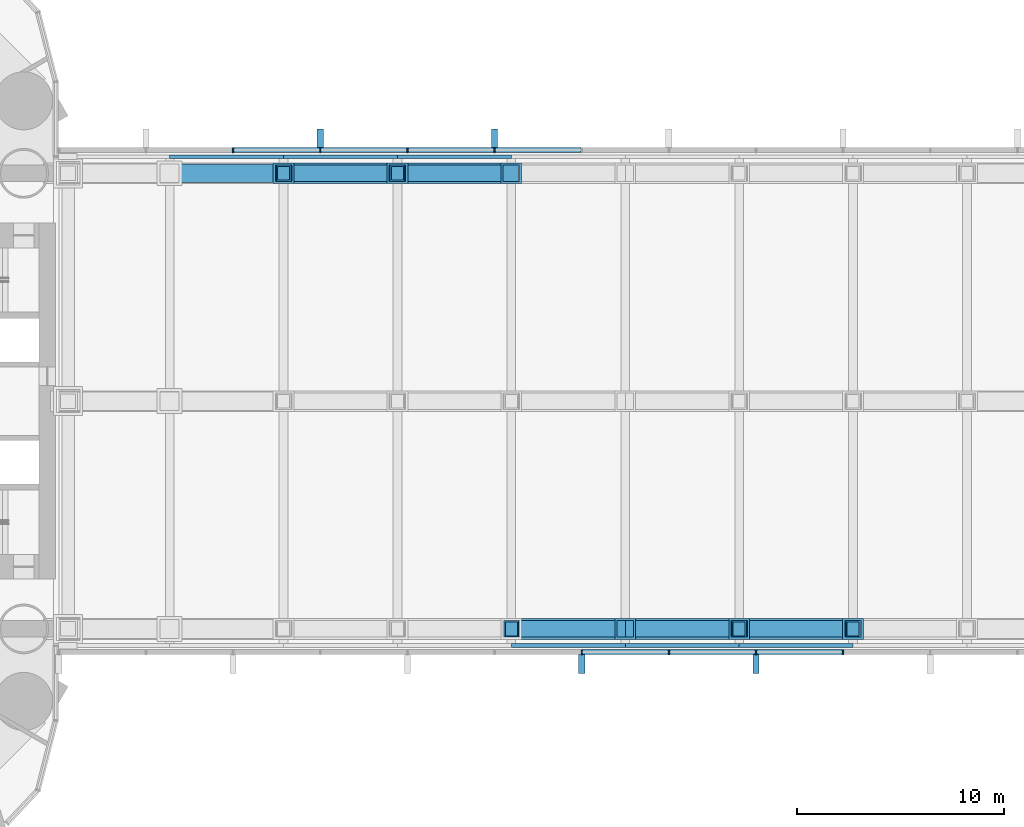
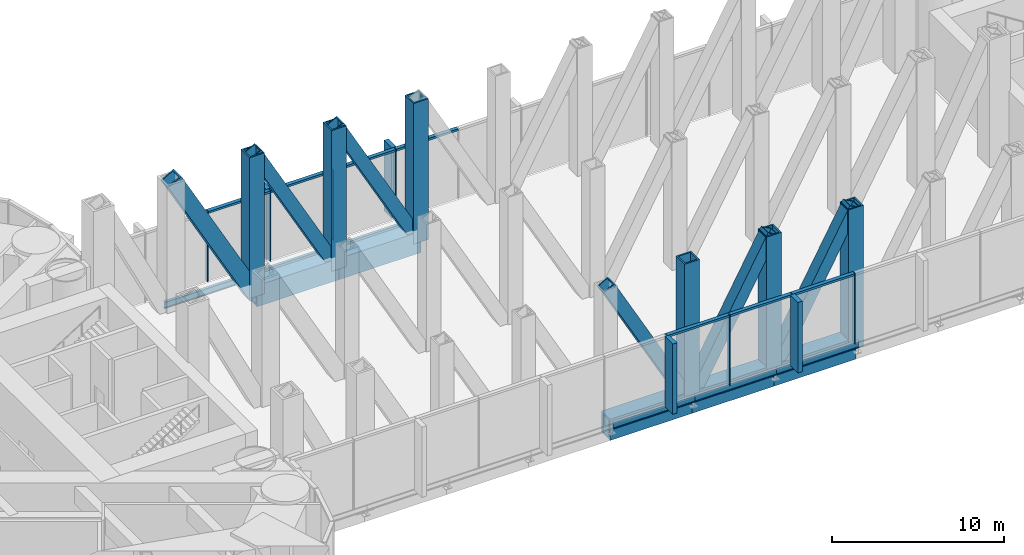
# One storey, part 7 of 21: 36 members, 6 beams, 2 elements without a shape of their own.
"""IFC4 building model written with IfcOpenShell, lengths in metres."""

from ifc_helpers import new_model, si_unit, direction, frame, origin, origin_2d, place, context, subcontext, project, spatial, rectangle, hollow_rectangle, i_section, extrude, material, material_profile, profile_set, type_object, element, aggregate, save


model = new_model("IFC4")

# Units and contexts
model_context = context("Model", 3, precision=1e-05, world=origin(), true_north=direction((0.0, 1.0)))
body_context = subcontext(model_context, "Body", "Model", "MODEL_VIEW")
ifc_project = project(units=[si_unit("LENGTHUNIT", "METRE"), si_unit("AREAUNIT", "SQUARE_METRE"), si_unit("VOLUMEUNIT", "CUBIC_METRE"), si_unit("PLANEANGLEUNIT", "RADIAN"), si_unit("MASSUNIT", "GRAM", prefix="KILO")], contexts=[model_context])

# Site, building, storey
site_placement = place(None, origin())
site = spatial("IfcSite", under=ifc_project, at=site_placement, CompositionType="ELEMENT")
building_placement = place(site_placement, origin())
building = spatial("IfcBuilding", under=site, at=building_placement, Name="Lancet Gate Hotel", CompositionType="ELEMENT")
storey_placement = place(building_placement, frame((0.0, 0.0, 205.300048828125)))
storey = spatial("IfcBuildingStorey", under=building, at=storey_placement, Name="L55", CompositionType="ELEMENT", Elevation=205.300048828125)

# Curtain wall, members
ifc_material_1 = material(Name="Aluminium curtain wall", Category="aluminium")
curtain_wall_type = type_object("IfcCurtainWallType", Name="Refuge storey louvred curtain wall", PredefinedType="USERDEFINED", material=ifc_material_1)
curtain_wall_1_placement = place(storey_placement, origin())
curtain_wall_1 = element("IfcCurtainWall", 1, at=curtain_wall_1_placement, inside=storey, type_object=curtain_wall_type, Name="Bridge block L55 curtain wall S", ObjectType="LANTERN GLAZING", PredefinedType="USERDEFINED")
ifc_material_2 = material(Name="Aluminium mullion", Category="aluminium")
ifc_material_profile_1 = material_profile(ifc_material_2, rectangle(XDim=0.06494140625, YDim=0.25, at=origin_2d()), Name="MULLION 65x250")
ifc_profile_set_1 = profile_set([ifc_material_profile_1], Name="Aluminium mullion")
member_type_1 = type_object("IfcMemberType", Name="Aluminium mullion 65x250", PredefinedType="MULLION", material=ifc_profile_set_1)
member_1_placement = place(storey_placement, frame((-2.103759765625, -12.1201171875, 0.0), z_axis=(0.0, 0.0, 1.0), x_axis=(1.0, 0.0, 0.0)))
member_1 = element("IfcMember", 2, at=member_1_placement, type_object=member_type_1, Name="Bridge block L55 curtain wall S mullion 7", PredefinedType="MULLION", context=body_context, shape_type="SweptSolid", body=[
    extrude(rectangle(XDim=0.06494140625, YDim=0.25, at=origin_2d()), origin(), (0.0, 0.0, 1.0), 5.0),
])
member_2_placement = place(storey_placement, frame((2.103759765625, -12.1201171875, 0.0), z_axis=(0.0, 0.0, 1.0), x_axis=(1.0, 0.0, 0.0)))
member_2 = element("IfcMember", 3, at=member_2_placement, type_object=member_type_1, Name="Bridge block L55 curtain wall S mullion 8", PredefinedType="MULLION", context=body_context, shape_type="SweptSolid", body=[
    extrude(rectangle(XDim=0.06494140625, YDim=0.25, at=origin_2d()), origin(), (0.0, 0.0, 1.0), 5.0),
])
member_3_placement = place(storey_placement, frame((6.3115234375, -12.1201171875, 0.0), z_axis=(0.0, 0.0, 1.0), x_axis=(1.0, 0.0, 0.0)))
member_3 = element("IfcMember", 4, at=member_3_placement, type_object=member_type_1, Name="Bridge block L55 curtain wall S mullion 9", PredefinedType="MULLION", context=body_context, shape_type="SweptSolid", body=[
    extrude(rectangle(XDim=0.06494140625, YDim=0.25, at=origin_2d()), origin(), (0.0, 0.0, 1.0), 5.0),
])
member_4_placement = place(storey_placement, frame((10.519287109375, -12.1201171875, 0.0), z_axis=(0.0, 0.0, 1.0), x_axis=(1.0, 0.0, 0.0)))
member_4 = element("IfcMember", 5, at=member_4_placement, type_object=member_type_1, Name="Bridge block L55 curtain wall S mullion 10", PredefinedType="MULLION", context=body_context, shape_type="SweptSolid", body=[
    extrude(rectangle(XDim=0.06494140625, YDim=0.25, at=origin_2d()), origin(), (0.0, 0.0, 1.0), 5.0),
])

curtain_wall_2_placement = place(storey_placement, origin())
curtain_wall_2 = element("IfcCurtainWall", 6, at=curtain_wall_2_placement, inside=storey, type_object=curtain_wall_type, Name="Bridge block L55 curtain wall N", ObjectType="LANTERN GLAZING", PredefinedType="USERDEFINED")
member_5_placement = place(storey_placement, frame((-6.3115234375, 12.1201171875, 0.0), z_axis=(0.0, 0.0, 1.0), x_axis=(-1.0, 0.0, 0.0)))
member_5 = element("IfcMember", 7, at=member_5_placement, type_object=member_type_1, Name="Bridge block L55 curtain wall N mullion 9", PredefinedType="MULLION", context=body_context, shape_type="SweptSolid", body=[
    extrude(rectangle(XDim=0.06494140625, YDim=0.25, at=origin_2d()), origin(), (0.0, 0.0, 1.0), 5.0),
])
member_6_placement = place(storey_placement, frame((-10.519287109375, 12.1201171875, 0.0), z_axis=(0.0, 0.0, 1.0), x_axis=(-1.0, 0.0, 0.0)))
member_6 = element("IfcMember", 8, at=member_6_placement, type_object=member_type_1, Name="Bridge block L55 curtain wall N mullion 10", PredefinedType="MULLION", context=body_context, shape_type="SweptSolid", body=[
    extrude(rectangle(XDim=0.06494140625, YDim=0.25, at=origin_2d()), origin(), (0.0, 0.0, 1.0), 5.0),
])
member_7_placement = place(storey_placement, frame((-14.726806640625, 12.1201171875, 0.0), z_axis=(0.0, 0.0, 1.0), x_axis=(-1.0, 0.0, 0.0)))
member_7 = element("IfcMember", 9, at=member_7_placement, type_object=member_type_1, Name="Bridge block L55 curtain wall N mullion 11", PredefinedType="MULLION", context=body_context, shape_type="SweptSolid", body=[
    extrude(rectangle(XDim=0.06494140625, YDim=0.25, at=origin_2d()), origin(), (0.0, 0.0, 1.0), 5.0),
])
member_8_placement = place(storey_placement, frame((-18.9345703125, 12.1201171875, 0.0), z_axis=(0.0, 0.0, 1.0), x_axis=(-1.0, 0.0, 0.0)))
member_8 = element("IfcMember", 10, at=member_8_placement, type_object=member_type_1, Name="Bridge block L55 curtain wall N mullion 12", PredefinedType="MULLION", context=body_context, shape_type="SweptSolid", body=[
    extrude(rectangle(XDim=0.06494140625, YDim=0.25, at=origin_2d()), origin(), (0.0, 0.0, 1.0), 5.0),
])

# Member
ifc_material_3 = material(Name="Aluminium transom", Category="aluminium")
ifc_material_profile_2 = material_profile(ifc_material_3, rectangle(XDim=0.25, YDim=0.14990234375, at=origin_2d()), Name="TRANSOM 250x150")
ifc_profile_set_2 = profile_set([ifc_material_profile_2], Name="Aluminium transom")
member_type_2 = type_object("IfcMemberType", Name="Aluminium transom 250x150", PredefinedType="USERDEFINED", material=ifc_profile_set_2)
member_9_placement = place(storey_placement, frame((-2.0712890625, -12.1201171875, 4.925048828125), z_axis=(1.0, 0.0, 0.0), x_axis=(0.0, 1.0, 0.0)))
member_9 = element("IfcMember", 11, at=member_9_placement, type_object=member_type_2, Name="Bridge block L55 curtain wall S transom 7", ObjectType="TRANSOM", PredefinedType="USERDEFINED", context=body_context, shape_type="SweptSolid", body=[
    extrude(rectangle(XDim=0.25, YDim=0.14990234375, at=origin_2d()), origin(), (0.0, 0.0, 1.0), 4.142578125),
])

member_10_placement = place(storey_placement, frame((2.13623046875, -12.1201171875, 4.925048828125), z_axis=(1.0, 0.0, 0.0), x_axis=(0.0, 1.0, 0.0)))
member_10 = element("IfcMember", 12, at=member_10_placement, type_object=member_type_2, Name="Bridge block L55 curtain wall S transom 8", ObjectType="TRANSOM", PredefinedType="USERDEFINED", context=body_context, shape_type="SweptSolid", body=[
    extrude(rectangle(XDim=0.25, YDim=0.14990234375, at=origin_2d()), origin(), (0.0, 0.0, 1.0), 4.142822265625),
])

member_11_placement = place(storey_placement, frame((6.343994140625, -12.1201171875, 4.925048828125), z_axis=(1.0, 0.0, 0.0), x_axis=(0.0, 1.0, 0.0)))
member_11 = element("IfcMember", 13, at=member_11_placement, type_object=member_type_2, Name="Bridge block L55 curtain wall S transom 9", ObjectType="TRANSOM", PredefinedType="USERDEFINED", context=body_context, shape_type="SweptSolid", body=[
    extrude(rectangle(XDim=0.25, YDim=0.14990234375, at=origin_2d()), origin(), (0.0, 0.0, 1.0), 4.142822265625),
])

member_12_placement = place(storey_placement, frame((-2.13623046875, 12.1201171875, 4.925048828125), z_axis=(-1.0, 0.0, 0.0), x_axis=(0.0, -1.0, 0.0)))
member_12 = element("IfcMember", 14, at=member_12_placement, type_object=member_type_2, Name="Bridge block L55 curtain wall N transom 8", ObjectType="TRANSOM", PredefinedType="USERDEFINED", context=body_context, shape_type="SweptSolid", body=[
    extrude(rectangle(XDim=0.25, YDim=0.14990234375, at=origin_2d()), origin(), (0.0, 0.0, 1.0), 4.142822265625),
])

member_13_placement = place(storey_placement, frame((-6.343994140625, 12.1201171875, 4.925048828125), z_axis=(-1.0, 0.0, 0.0), x_axis=(0.0, -1.0, 0.0)))
member_13 = element("IfcMember", 15, at=member_13_placement, type_object=member_type_2, Name="Bridge block L55 curtain wall N transom 9", ObjectType="TRANSOM", PredefinedType="USERDEFINED", context=body_context, shape_type="SweptSolid", body=[
    extrude(rectangle(XDim=0.25, YDim=0.14990234375, at=origin_2d()), origin(), (0.0, 0.0, 1.0), 4.142822265625),
])

member_14_placement = place(storey_placement, frame((-10.5517578125, 12.1201171875, 4.925048828125), z_axis=(-1.0, 0.0, 0.0), x_axis=(0.0, -1.0, 0.0)))
member_14 = element("IfcMember", 16, at=member_14_placement, type_object=member_type_2, Name="Bridge block L55 curtain wall N transom 10", ObjectType="TRANSOM", PredefinedType="USERDEFINED", context=body_context, shape_type="SweptSolid", body=[
    extrude(rectangle(XDim=0.25, YDim=0.14990234375, at=origin_2d()), origin(), (0.0, 0.0, 1.0), 4.142578125),
])

member_15_placement = place(storey_placement, frame((-14.759521484375, 12.1201171875, 4.925048828125), z_axis=(-1.0, 0.0, 0.0), x_axis=(0.0, -1.0, 0.0)))
member_15 = element("IfcMember", 17, at=member_15_placement, type_object=member_type_2, Name="Bridge block L55 curtain wall N transom 11", ObjectType="TRANSOM", PredefinedType="USERDEFINED", context=body_context, shape_type="SweptSolid", body=[
    extrude(rectangle(XDim=0.25, YDim=0.14990234375, at=origin_2d()), origin(), (0.0, 0.0, 1.0), 4.142578125),
])

# Beams
ifc_material_4 = material(Name="Steel S355", Category="steel")
ifc_material_profile_3 = material_profile(ifc_material_4, i_section(OverallWidth=0.19140625, OverallDepth=0.4599609375, WebThickness=0.010009765625, FlangeThickness=0.01611328125, FilletRadius=0.01025390625, at=origin_2d()), Name="UKB 457x191x82")
ifc_profile_set_3 = profile_set([ifc_material_profile_3], Name="Steel S355")
beam_type = type_object("IfcBeamType", Name="Block edge beam UKB 457x191x82", PredefinedType="SPANDREL", material=ifc_profile_set_3)
for number, where, z_axis, x_axis, name in (
    (18, (-22.0, 11.800048828125, -0.429931640625), (1.0, 0.0, 0.0), (0.0, 1.0, 0.0), "Block edge beam N 1-2 L55"),
    (19, (-16.5, 11.800048828125, -0.429931640625), (1.0, 0.0, 0.0), (0.0, 1.0, 0.0), "Block edge beam N 2-3 L55"),
    (20, (-11.0, 11.800048828125, -0.429931640625), (1.0, 0.0, 0.0), (0.0, 1.0, 0.0), "Block edge beam N 3-4 L55"),
    (21, (-5.5, -11.800048828125, -0.429931640625), (1.0, 0.0, 0.0), (0.0, 1.0, 0.0), "Block edge beam S 4-5 L55"),
    (22, (0.0, -11.800048828125, -0.429931640625), (1.0, 0.0, 0.0), (0.0, 1.0, 0.0), "Block edge beam S 5-6 L55"),
    (23, (5.5, -11.800048828125, -0.429931640625), (1.0, 0.0, 0.0), (0.0, 1.0, 0.0), "Block edge beam S 6-7 L55"),
):
    element("IfcBeam", number, at=place(storey_placement, frame(where, z_axis=z_axis, x_axis=x_axis)), inside=storey, type_object=beam_type, Name=name, PredefinedType="SPANDREL", context=body_context, shape_type="SweptSolid", body=[
        extrude(i_section(OverallWidth=0.19140625, OverallDepth=0.4599609375, WebThickness=0.010009765625, FlangeThickness=0.01611328125, FilletRadius=0.01025390625, at=origin_2d()), origin(), (0.0, 0.0, 1.0), 5.5),
    ])

# Member
ifc_material_5 = material(Name="Precast concrete C50/60", Category="concrete")
ifc_material_profile_4 = material_profile(ifc_material_5, rectangle(XDim=0.300048828125, YDim=0.89990234375, at=origin_2d()), Name="FIN 300x900")
ifc_profile_set_4 = profile_set([ifc_material_profile_4], Name="Precast concrete C50/60")
member_type_3 = type_object("IfcMemberType", Name="Exposed concrete fin 300x900", PredefinedType="USERDEFINED", material=ifc_profile_set_4)
member_16_placement = place(storey_placement, frame((-2.103759765625, -12.695068359375, 0.0), z_axis=(0.0, 0.0, 1.0), x_axis=(1.0, 0.0, 0.0)))
member_16 = element("IfcMember", 24, at=member_16_placement, type_object=member_type_3, Name="Bridge block L55 curtain wall S fin 7", ObjectType="FIN", PredefinedType="USERDEFINED", context=body_context, shape_type="SweptSolid", body=[
    extrude(rectangle(XDim=0.300048828125, YDim=0.89990234375, at=origin_2d()), origin(), (0.0, 0.0, 1.0), 5.0),
])

member_17_placement = place(storey_placement, frame((6.3115234375, -12.695068359375, 0.0), z_axis=(0.0, 0.0, 1.0), x_axis=(1.0, 0.0, 0.0)))
member_17 = element("IfcMember", 25, at=member_17_placement, type_object=member_type_3, Name="Bridge block L55 curtain wall S fin 9", ObjectType="FIN", PredefinedType="USERDEFINED", context=body_context, shape_type="SweptSolid", body=[
    extrude(rectangle(XDim=0.300048828125, YDim=0.89990234375, at=origin_2d()), origin(), (0.0, 0.0, 1.0), 5.0),
])

aggregate(curtain_wall_1, [member_1, member_16, member_2, member_3, member_17, member_4, member_9, member_10, member_11])

member_18_placement = place(storey_placement, frame((-6.3115234375, 12.695068359375, 0.0), z_axis=(0.0, 0.0, 1.0), x_axis=(-1.0, 0.0, 0.0)))
member_18 = element("IfcMember", 26, at=member_18_placement, type_object=member_type_3, Name="Bridge block L55 curtain wall N fin 9", ObjectType="FIN", PredefinedType="USERDEFINED", context=body_context, shape_type="SweptSolid", body=[
    extrude(rectangle(XDim=0.300048828125, YDim=0.89990234375, at=origin_2d()), origin(), (0.0, 0.0, 1.0), 5.0),
])

member_19_placement = place(storey_placement, frame((-14.726806640625, 12.695068359375, 0.0), z_axis=(0.0, 0.0, 1.0), x_axis=(-1.0, 0.0, 0.0)))
member_19 = element("IfcMember", 27, at=member_19_placement, type_object=member_type_3, Name="Bridge block L55 curtain wall N fin 11", ObjectType="FIN", PredefinedType="USERDEFINED", context=body_context, shape_type="SweptSolid", body=[
    extrude(rectangle(XDim=0.300048828125, YDim=0.89990234375, at=origin_2d()), origin(), (0.0, 0.0, 1.0), 5.0),
])

aggregate(curtain_wall_2, [member_5, member_18, member_6, member_7, member_19, member_8, member_12, member_13, member_14, member_15])

# Members
ifc_material_6 = material(Name="Steel S460QL", Category="steel")
ifc_material_profile_5 = material_profile(ifc_material_6, hollow_rectangle(XDim=1.0, YDim=1.5, WallThickness=0.14990234375, at=origin_2d()), Name="BOX 1500x1000x150")
ifc_profile_set_5 = profile_set([ifc_material_profile_5], Name="Steel S460QL")
member_type_4 = type_object("IfcMemberType", Name="Truss bottom chord BOX 1500x1000x150", PredefinedType="CHORD", material=ifc_profile_set_5)
for number, where, z_axis, x_axis, name in (
    (28, (-5.5, -11.0, -0.949951171875), (1.0, 0.0, 0.0), (0.0, 1.0, 0.0), "Truss S bottom chord panel 5"),
    (29, (0.0, -11.0, -0.949951171875), (1.0, 0.0, 0.0), (0.0, 1.0, 0.0), "Truss S bottom chord panel 6"),
    (30, (5.5, -11.0, -0.949951171875), (1.0, 0.0, 0.0), (0.0, 1.0, 0.0), "Truss S bottom chord panel 7"),
    (31, (-16.5, 11.0, -0.949951171875), (1.0, 0.0, 0.0), (0.0, 1.0, 0.0), "Truss N bottom chord panel 3"),
    (32, (-11.0, 11.0, -0.949951171875), (1.0, 0.0, 0.0), (0.0, 1.0, 0.0), "Truss N bottom chord panel 4"),
):
    element("IfcMember", number, at=place(storey_placement, frame(where, z_axis=z_axis, x_axis=x_axis)), inside=storey, type_object=member_type_4, Name=name, PredefinedType="CHORD", context=body_context, shape_type="SweptSolid", body=[
        extrude(hollow_rectangle(XDim=1.0, YDim=1.5, WallThickness=0.14990234375, at=origin_2d()), origin(), (0.0, 0.0, 1.0), 5.5),
    ])
ifc_material_7 = material(Name="Steel S460QL", Category="steel")
ifc_material_profile_6 = material_profile(ifc_material_7, hollow_rectangle(XDim=0.89990234375, YDim=1.0, WallThickness=0.10009765625, at=origin_2d()), Name="BOX 1000x900x100")
ifc_profile_set_6 = profile_set([ifc_material_profile_6], Name="Steel S460QL")
member_type_5 = type_object("IfcMemberType", Name="Truss diagonal BOX 1000x900x100", PredefinedType="BRACE", material=ifc_profile_set_6)
member_20_placement = place(storey_placement, frame((-22.0, 11.0, 9.050048828125), z_axis=(0.481918749772, 0.0, -0.876215908677), x_axis=(0.0, 1.0, 0.0)))
element("IfcMember", 33, at=member_20_placement, inside=storey, type_object=member_type_5, Name="Truss N diagonal panel 2", PredefinedType="BRACE", context=body_context, shape_type="SweptSolid", body=[
    extrude(hollow_rectangle(XDim=0.89990234375, YDim=1.0, WallThickness=0.10009765625, at=origin_2d()), origin(), (0.0, 0.0, 1.0), 11.41259765625),
])
ifc_material_8 = material(Name="Steel S460QL", Category="steel")
ifc_material_profile_7 = material_profile(ifc_material_8, hollow_rectangle(XDim=0.800048828125, YDim=0.800048828125, WallThickness=0.070068359375, at=origin_2d()), Name="BOX 800x800x70")
ifc_profile_set_7 = profile_set([ifc_material_profile_7], Name="Steel S460QL")
member_type_6 = type_object("IfcMemberType", Name="Truss diagonal BOX 800x800x70", PredefinedType="BRACE", material=ifc_profile_set_7)
for number, where, z_axis, x_axis, name in (
    (34, (-5.5, -11.0, 9.050048828125), (0.481918749772, 0.0, -0.876215908677), (0.0, 1.0, 0.0), "Truss S diagonal panel 5"),
    (35, (5.5, -11.0, 9.050048828125), (-0.481918749772, 0.0, -0.876215908677), (0.0, -1.0, 0.0), "Truss S diagonal panel 6"),
    (36, (11.0, -11.0, 9.050048828125), (-0.481918749772, 0.0, -0.876215908677), (0.0, -1.0, 0.0), "Truss S diagonal panel 7"),
    (37, (-16.5, 11.0, 9.050048828125), (0.481918749772, 0.0, -0.876215908677), (0.0, 1.0, 0.0), "Truss N diagonal panel 3"),
    (38, (-11.0, 11.0, 9.050048828125), (0.481918749772, 0.0, -0.876215908677), (0.0, 1.0, 0.0), "Truss N diagonal panel 4"),
):
    element("IfcMember", number, at=place(storey_placement, frame(where, z_axis=z_axis, x_axis=x_axis)), inside=storey, type_object=member_type_6, Name=name, PredefinedType="BRACE", context=body_context, shape_type="SweptSolid", body=[
        extrude(hollow_rectangle(XDim=0.800048828125, YDim=0.800048828125, WallThickness=0.070068359375, at=origin_2d()), origin(), (0.0, 0.0, 1.0), 11.41259765625),
    ])
ifc_material_9 = material(Name="Steel S460QL", Category="steel")
ifc_material_profile_8 = material_profile(ifc_material_9, hollow_rectangle(XDim=1.0, YDim=1.0, WallThickness=0.10009765625, at=origin_2d()), Name="BOX 1000x1000x100")
ifc_profile_set_8 = profile_set([ifc_material_profile_8], Name="Steel S460QL")
member_type_7 = type_object("IfcMemberType", Name="Truss post BOX 1000x1000x100", PredefinedType="POST", material=ifc_profile_set_8)
for number, where, z_axis, x_axis, name in (
    (39, (0.0, -11.0, -0.949951171875), (0.0, 0.0, 1.0), (1.0, 0.0, 0.0), "Truss S post 5"),
    (40, (5.5, -11.0, -0.949951171875), (0.0, 0.0, 1.0), (1.0, 0.0, 0.0), "Truss S post 6"),
    (41, (11.0, -11.0, -0.949951171875), (0.0, 0.0, 1.0), (1.0, 0.0, 0.0), "Truss S post 7"),
    (42, (-16.5, 11.0, -0.949951171875), (0.0, 0.0, 1.0), (1.0, 0.0, 0.0), "Truss N post 2"),
    (43, (-11.0, 11.0, -0.949951171875), (0.0, 0.0, 1.0), (1.0, 0.0, 0.0), "Truss N post 3"),
    (44, (-5.5, 11.0, -0.949951171875), (0.0, 0.0, 1.0), (1.0, 0.0, 0.0), "Truss N post 4"),
):
    element("IfcMember", number, at=place(storey_placement, frame(where, z_axis=z_axis, x_axis=x_axis)), inside=storey, type_object=member_type_7, Name=name, PredefinedType="POST", context=body_context, shape_type="SweptSolid", body=[
        extrude(hollow_rectangle(XDim=1.0, YDim=1.0, WallThickness=0.10009765625, at=origin_2d()), origin(), (0.0, 0.0, 1.0), 10.0),
    ])

save(model, "model.ifc")
